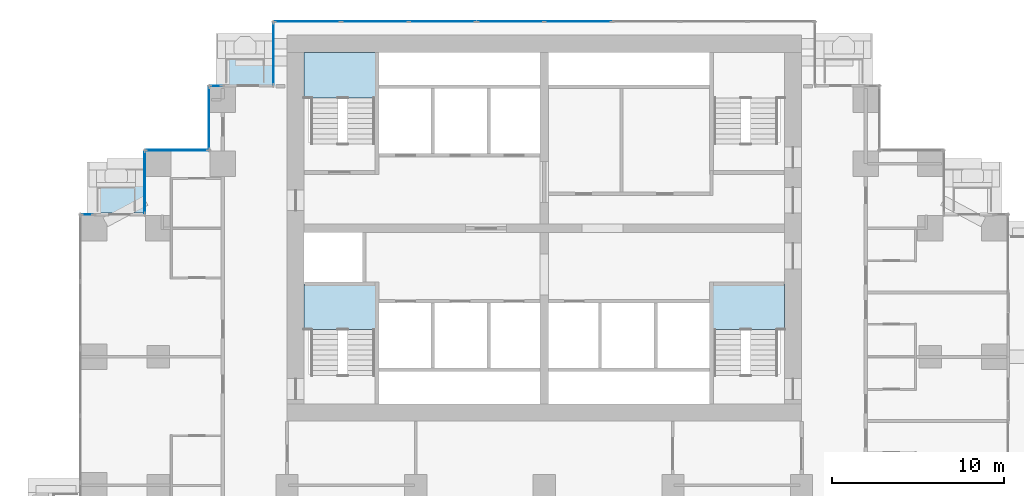
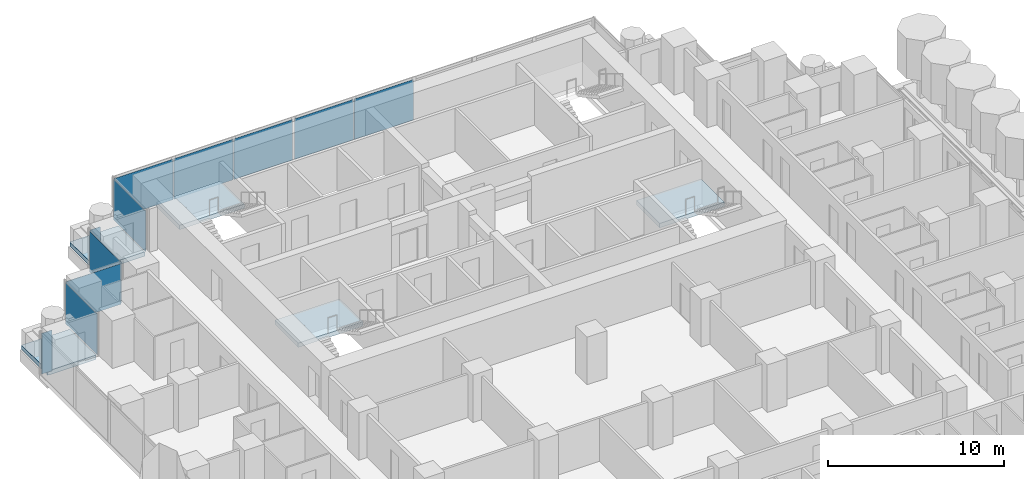
# One storey, part 9 of 20: 11 plates, 5 slabs, 11 elements without a shape of their own.
"""IFC4 building model written with IfcOpenShell, lengths in metres."""

from ifc_helpers import new_model, si_unit, direction, frame, origin, origin_2d, place, context, subcontext, project, spatial, polyline, rectangle, outline, extrude, material, layer, layer_set, type_object, element, aggregate, save


model = new_model("IFC4")

# Units and contexts
model_context = context("Model", 3, precision=1e-05, world=origin(), true_north=direction((0.0, 1.0)))
body_context = subcontext(model_context, "Body", "Model", "MODEL_VIEW")
ifc_project = project(units=[si_unit("LENGTHUNIT", "METRE"), si_unit("AREAUNIT", "SQUARE_METRE"), si_unit("VOLUMEUNIT", "CUBIC_METRE"), si_unit("PLANEANGLEUNIT", "RADIAN"), si_unit("MASSUNIT", "GRAM", prefix="KILO")], contexts=[model_context])

# Site, building, storey
site_placement = place(None, origin())
site = spatial("IfcSite", under=ifc_project, at=site_placement, CompositionType="ELEMENT")
building_placement = place(site_placement, origin())
building = spatial("IfcBuilding", under=site, at=building_placement, Name="Pilkhan Gate Tower", CompositionType="ELEMENT")
storey_placement = place(building_placement, frame((0.0, 0.0, 92.300048828125)))
storey = spatial("IfcBuildingStorey", under=building, at=storey_placement, Name="L22", CompositionType="ELEMENT", Elevation=92.300048828125)

# Slabs
ifc_material_1 = material(Name="Concrete C60/75", Category="concrete")
ifc_layer_1 = layer(ifc_material_1, 0.300048828125)
ifc_layer_set_1 = layer_set([ifc_layer_1], Name="Balcony tray slab TR300")
slab_type_1 = type_object("IfcSlabType", Name="Balcony tray slab TR300", PredefinedType="FLOOR", material=ifc_layer_set_1)
slab_1_placement = place(storey_placement, frame((0.0, 0.0, -0.300048828125)))
element("IfcSlab", 1, at=slab_1_placement, inside=storey, type_object=slab_type_1, Name="Balcony tray L22 N", PredefinedType="FLOOR", context=body_context, shape_type="SweptSolid", body=[
    extrude(outline(polyline([(59.14990234375, 90.85009765625), (59.14990234375, 93.85009765625), (55.949951171875, 93.85009765625), (55.949951171875, 90.85009765625), (59.14990234375, 90.85009765625)])), origin(), (0.0, 0.0, 1.0), 0.300048828125),
])
slab_2_placement = place(storey_placement, frame((0.0, 0.0, -0.300048828125)))
element("IfcSlab", 2, at=slab_2_placement, inside=storey, type_object=slab_type_1, Name="Balcony tray L22 N", PredefinedType="FLOOR", context=body_context, shape_type="SweptSolid", body=[
    extrude(outline(polyline([(51.6298828125, 83.3701171875), (51.6298828125, 86.35009765625), (48.449951171875, 86.35009765625), (48.449951171875, 83.3701171875), (51.6298828125, 83.3701171875)])), origin(), (0.0, 0.0, 1.0), 0.300048828125),
])

# Curtain wall, plates
ifc_material_2 = material(Name="Pale anodised aluminium, clear low-iron double glazing", Category="aluminium")
curtain_wall_type = type_object("IfcCurtainWallType", Name="Hotel unitised curtain wall CW-H", PredefinedType="USERDEFINED", material=ifc_material_2)
curtain_wall_1_placement = place(storey_placement, origin())
curtain_wall_1 = element("IfcCurtainWall", 3, at=curtain_wall_1_placement, inside=storey, type_object=curtain_wall_type, Name="Hotel unitised curtain wall CW-H L22 N", ObjectType="UNITISED CURTAIN WALL", PredefinedType="USERDEFINED")
ifc_material_3 = material(Name="Clear low-iron double glazing", Category="glass")
ifc_layer_2 = layer(ifc_material_3, 0.035888671875)
ifc_layer_set_2 = layer_set([ifc_layer_2], Name="Glass panel CW-H 36")
plate_type = type_object("IfcPlateType", Name="Glass panel CW-H 36", PredefinedType="CURTAIN_PANEL", material=ifc_layer_set_2)
plate_1_placement = place(storey_placement, frame((61.195556640625, 94.544921875, 0.0), z_axis=(0.0, 0.0, 1.0), x_axis=(1.0, 0.0, 0.0)))
plate_1 = element("IfcPlate", 4, at=plate_1_placement, type_object=plate_type, Name="CW-H panel 1", PredefinedType="CURTAIN_PANEL", context=body_context, shape_type="SweptSolid", body=[
    extrude(rectangle(XDim=3.851318359375, YDim=0.035888671875, at=origin_2d()), origin(), (0.0, 0.0, 1.0), 2.820068359375),
])
plate_2_placement = place(storey_placement, frame((65.128173828125, 94.544921875, 0.0), z_axis=(0.0, 0.0, 1.0), x_axis=(1.0, 0.0, 0.0)))
plate_2 = element("IfcPlate", 5, at=plate_2_placement, type_object=plate_type, Name="CW-H panel 2", PredefinedType="CURTAIN_PANEL", context=body_context, shape_type="SweptSolid", body=[
    extrude(rectangle(XDim=3.8837890625, YDim=0.035888671875, at=origin_2d()), origin(), (0.0, 0.0, 1.0), 2.820068359375),
])
plate_3_placement = place(storey_placement, frame((69.060546875, 94.544921875, 0.0), z_axis=(0.0, 0.0, 1.0), x_axis=(1.0, 0.0, 0.0)))
plate_3 = element("IfcPlate", 6, at=plate_3_placement, type_object=plate_type, Name="CW-H panel 3", PredefinedType="CURTAIN_PANEL", context=body_context, shape_type="SweptSolid", body=[
    extrude(rectangle(XDim=3.851318359375, YDim=0.035888671875, at=origin_2d()), origin(), (0.0, 0.0, 1.0), 2.820068359375),
])
aggregate(curtain_wall_1, [plate_1, plate_2, plate_3])

curtain_wall_2_placement = place(storey_placement, origin())
curtain_wall_2 = element("IfcCurtainWall", 7, at=curtain_wall_2_placement, inside=storey, type_object=curtain_wall_type, Name="Hotel unitised curtain wall CW-H L22 N", ObjectType="UNITISED CURTAIN WALL", PredefinedType="USERDEFINED")
plate_4_placement = place(storey_placement, frame((73.0419921875, 94.544921875, 0.0), z_axis=(0.0, 0.0, 1.0), x_axis=(1.0, 0.0, 0.0)))
plate_4 = element("IfcPlate", 8, at=plate_4_placement, type_object=plate_type, Name="CW-H panel 1", PredefinedType="CURTAIN_PANEL", context=body_context, shape_type="SweptSolid", body=[
    extrude(rectangle(XDim=3.851318359375, YDim=0.035888671875, at=origin_2d()), origin(), (0.0, 0.0, 1.0), 2.820068359375),
])
plate_5_placement = place(storey_placement, frame((76.974365234375, 94.544921875, 0.0), z_axis=(0.0, 0.0, 1.0), x_axis=(1.0, 0.0, 0.0)))
plate_5 = element("IfcPlate", 9, at=plate_5_placement, type_object=plate_type, Name="CW-H panel 2", PredefinedType="CURTAIN_PANEL", context=body_context, shape_type="SweptSolid", body=[
    extrude(rectangle(XDim=3.8837890625, YDim=0.035888671875, at=origin_2d()), origin(), (0.0, 0.0, 1.0), 2.820068359375),
])
aggregate(curtain_wall_2, [plate_4, plate_5])

# Curtain wall, plate
curtain_wall_3_placement = place(storey_placement, origin())
curtain_wall_3 = element("IfcCurtainWall", 10, at=curtain_wall_3_placement, inside=storey, type_object=curtain_wall_type, Name="Hotel unitised curtain wall CW-H L22 W", ObjectType="UNITISED CURTAIN WALL", PredefinedType="USERDEFINED")
plate_6_placement = place(storey_placement, frame((59.205078125, 92.669921875, 0.0), z_axis=(0.0, 0.0, 1.0), x_axis=(0.0, 1.0, 0.0)))
plate_6 = element("IfcPlate", 11, at=plate_6_placement, type_object=plate_type, Name="CW-H panel 1", PredefinedType="CURTAIN_PANEL", context=body_context, shape_type="SweptSolid", body=[
    extrude(rectangle(XDim=3.6201171875, YDim=0.035888671875, at=origin_2d()), origin(), (0.0, 0.0, 1.0), 2.820068359375),
])
aggregate(curtain_wall_3, [plate_6])

curtain_wall_4_placement = place(storey_placement, origin())
curtain_wall_4 = element("IfcCurtainWall", 12, at=curtain_wall_4_placement, inside=storey, type_object=curtain_wall_type, Name="Hotel unitised curtain wall CW-H L22 N", ObjectType="UNITISED CURTAIN WALL", PredefinedType="USERDEFINED")
plate_7_placement = place(storey_placement, frame((55.8525390625, 90.794921875, 0.0), z_axis=(0.0, 0.0, 1.0), x_axis=(1.0, 0.0, 0.0)))
plate_7 = element("IfcPlate", 13, at=plate_7_placement, type_object=plate_type, Name="CW-H panel 1", PredefinedType="CURTAIN_PANEL", context=body_context, shape_type="SweptSolid", body=[
    extrude(rectangle(XDim=0.6650390625, YDim=0.035888671875, at=origin_2d()), origin(), (0.0, 0.0, 1.0), 2.820068359375),
])
aggregate(curtain_wall_4, [plate_7])

curtain_wall_5_placement = place(storey_placement, origin())
curtain_wall_5 = element("IfcCurtainWall", 14, at=curtain_wall_5_placement, inside=storey, type_object=curtain_wall_type, Name="Hotel unitised curtain wall CW-H L22 W", ObjectType="UNITISED CURTAIN WALL", PredefinedType="USERDEFINED")
plate_8_placement = place(storey_placement, frame((55.455078125, 88.919921875, 0.0), z_axis=(0.0, 0.0, 1.0), x_axis=(0.0, 1.0, 0.0)))
plate_8 = element("IfcPlate", 15, at=plate_8_placement, type_object=plate_type, Name="CW-H panel 1", PredefinedType="CURTAIN_PANEL", context=body_context, shape_type="SweptSolid", body=[
    extrude(rectangle(XDim=3.6201171875, YDim=0.035888671875, at=origin_2d()), origin(), (0.0, 0.0, 1.0), 2.820068359375),
])
aggregate(curtain_wall_5, [plate_8])

curtain_wall_6_placement = place(storey_placement, origin())
curtain_wall_6 = element("IfcCurtainWall", 16, at=curtain_wall_6_placement, inside=storey, type_object=curtain_wall_type, Name="Hotel unitised curtain wall CW-H L22 N", ObjectType="UNITISED CURTAIN WALL", PredefinedType="USERDEFINED")
plate_9_placement = place(storey_placement, frame((53.580078125, 87.044921875, 0.0), z_axis=(0.0, 0.0, 1.0), x_axis=(1.0, 0.0, 0.0)))
plate_9 = element("IfcPlate", 17, at=plate_9_placement, type_object=plate_type, Name="CW-H panel 1", PredefinedType="CURTAIN_PANEL", context=body_context, shape_type="SweptSolid", body=[
    extrude(rectangle(XDim=3.6201171875, YDim=0.035888671875, at=origin_2d()), origin(), (0.0, 0.0, 1.0), 2.820068359375),
])
aggregate(curtain_wall_6, [plate_9])

curtain_wall_7_placement = place(storey_placement, origin())
curtain_wall_7 = element("IfcCurtainWall", 18, at=curtain_wall_7_placement, inside=storey, type_object=curtain_wall_type, Name="Hotel unitised curtain wall CW-H L22 W", ObjectType="UNITISED CURTAIN WALL", PredefinedType="USERDEFINED")
plate_10_placement = place(storey_placement, frame((51.705078125, 85.169921875, 0.0), z_axis=(0.0, 0.0, 1.0), x_axis=(0.0, 1.0, 0.0)))
plate_10 = element("IfcPlate", 19, at=plate_10_placement, type_object=plate_type, Name="CW-H panel 1", PredefinedType="CURTAIN_PANEL", context=body_context, shape_type="SweptSolid", body=[
    extrude(rectangle(XDim=3.6201171875, YDim=0.035888671875, at=origin_2d()), origin(), (0.0, 0.0, 1.0), 2.820068359375),
])
aggregate(curtain_wall_7, [plate_10])

curtain_wall_8_placement = place(storey_placement, origin())
curtain_wall_8 = element("IfcCurtainWall", 20, at=curtain_wall_8_placement, inside=storey, type_object=curtain_wall_type, Name="Hotel unitised curtain wall CW-H L22 N", ObjectType="UNITISED CURTAIN WALL", PredefinedType="USERDEFINED")
plate_11_placement = place(storey_placement, frame((48.3525390625, 83.294921875, 0.0), z_axis=(0.0, 0.0, 1.0), x_axis=(1.0, 0.0, 0.0)))
plate_11 = element("IfcPlate", 21, at=plate_11_placement, type_object=plate_type, Name="CW-H panel 1", PredefinedType="CURTAIN_PANEL", context=body_context, shape_type="SweptSolid", body=[
    extrude(rectangle(XDim=0.6650390625, YDim=0.035888671875, at=origin_2d()), origin(), (0.0, 0.0, 1.0), 2.820068359375),
])
aggregate(curtain_wall_8, [plate_11])

# Stair, slab
ifc_material_4 = material(Name="Concrete C40/50 precast", Category="concrete")
stair_type_1 = type_object("IfcStairType", Name="Stair ST1 165x300", PredefinedType="HALF_TURN_STAIR", material=ifc_material_4)
stair_1_placement = place(storey_placement, origin())
stair_1 = element("IfcStair", 22, at=stair_1_placement, inside=storey, type_object=stair_type_1, Name="Stair ST1 L22", PredefinedType="HALF_TURN_STAIR")
ifc_material_5 = material(Name="Concrete C40/50", Category="concrete")
ifc_layer_3 = layer(ifc_material_5, 0.199951171875)
ifc_layer_set_3 = layer_set([ifc_layer_3], Name="Stair landing SL200")
slab_type_2 = type_object("IfcSlabType", Name="Stair landing SL200", PredefinedType="LANDING", material=ifc_layer_set_3)
slab_3_placement = place(storey_placement, frame((0.0, 0.0, 1.349853515625)))
slab_3 = element("IfcSlab", 23, at=slab_3_placement, type_object=slab_type_2, Name="ST1 landing 1", PredefinedType="LANDING", context=body_context, shape_type="SweptSolid", body=[
    extrude(outline(polyline([(89.0, 76.60009765625), (89.0, 79.25), (84.75, 79.25), (84.75, 76.60009765625), (89.0, 76.60009765625)])), origin(), (0.0, 0.0, 1.0), 0.300048828125),
])
aggregate(stair_1, [slab_3])

stair_type_2 = type_object("IfcStairType", Name="Stair ST2 165x300", PredefinedType="HALF_TURN_STAIR", material=ifc_material_4)
stair_2_placement = place(storey_placement, origin())
stair_2 = element("IfcStair", 24, at=stair_2_placement, inside=storey, type_object=stair_type_2, Name="Stair ST2 L22", PredefinedType="HALF_TURN_STAIR")
slab_4_placement = place(storey_placement, frame((0.0, 0.0, 1.349853515625)))
slab_4 = element("IfcSlab", 25, at=slab_4_placement, type_object=slab_type_2, Name="ST2 landing 1", PredefinedType="LANDING", context=body_context, shape_type="SweptSolid", body=[
    extrude(outline(polyline([(65.25, 76.60009765625), (65.25, 79.25), (61.0, 79.25), (61.0, 76.60009765625), (65.25, 76.60009765625)])), origin(), (0.0, 0.0, 1.0), 0.300048828125),
])
aggregate(stair_2, [slab_4])

stair_type_3 = type_object("IfcStairType", Name="Stair ST3 165x300", PredefinedType="HALF_TURN_STAIR", material=ifc_material_4)
stair_3_placement = place(storey_placement, origin())
stair_3 = element("IfcStair", 26, at=stair_3_placement, inside=storey, type_object=stair_type_3, Name="Stair ST3 L22", PredefinedType="HALF_TURN_STAIR")
slab_5_placement = place(storey_placement, frame((0.0, 0.0, 1.349853515625)))
slab_5 = element("IfcSlab", 27, at=slab_5_placement, type_object=slab_type_2, Name="ST3 landing 1", PredefinedType="LANDING", context=body_context, shape_type="SweptSolid", body=[
    extrude(outline(polyline([(65.25, 90.10009765625), (65.25, 92.75), (61.0, 92.75), (61.0, 90.10009765625), (65.25, 90.10009765625)])), origin(), (0.0, 0.0, 1.0), 0.300048828125),
])
aggregate(stair_3, [slab_5])

save(model, "model.ifc")
